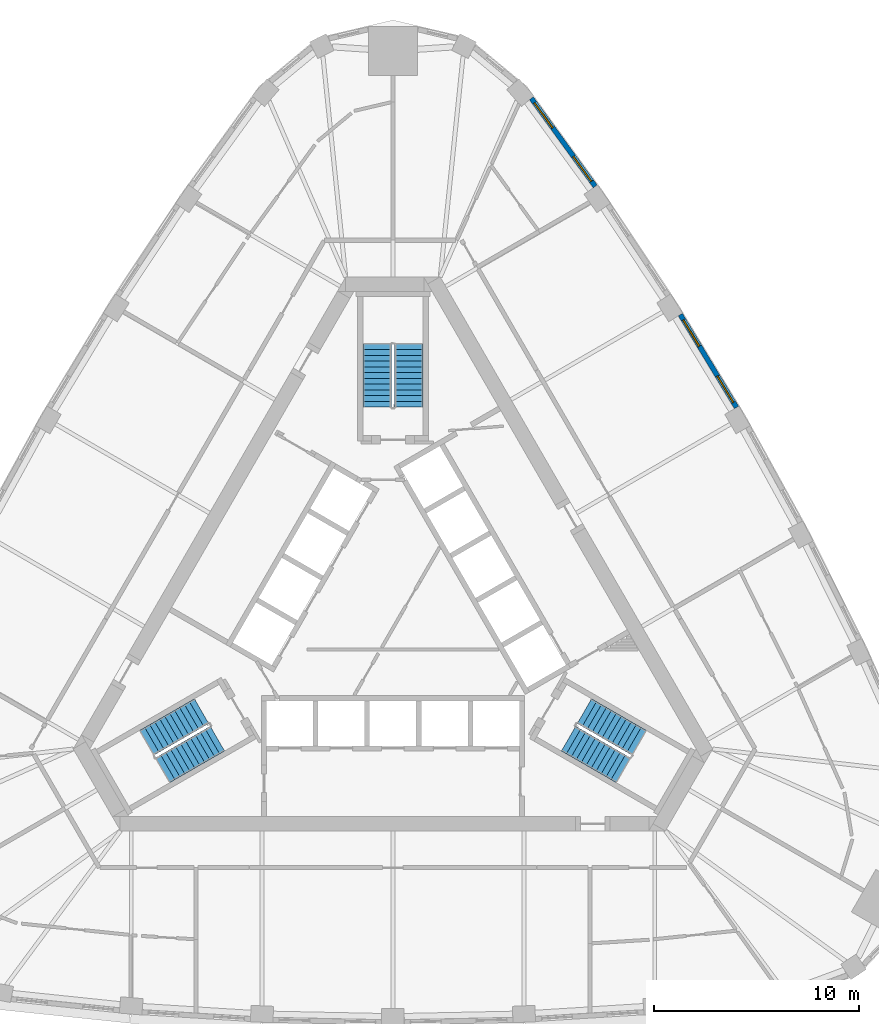
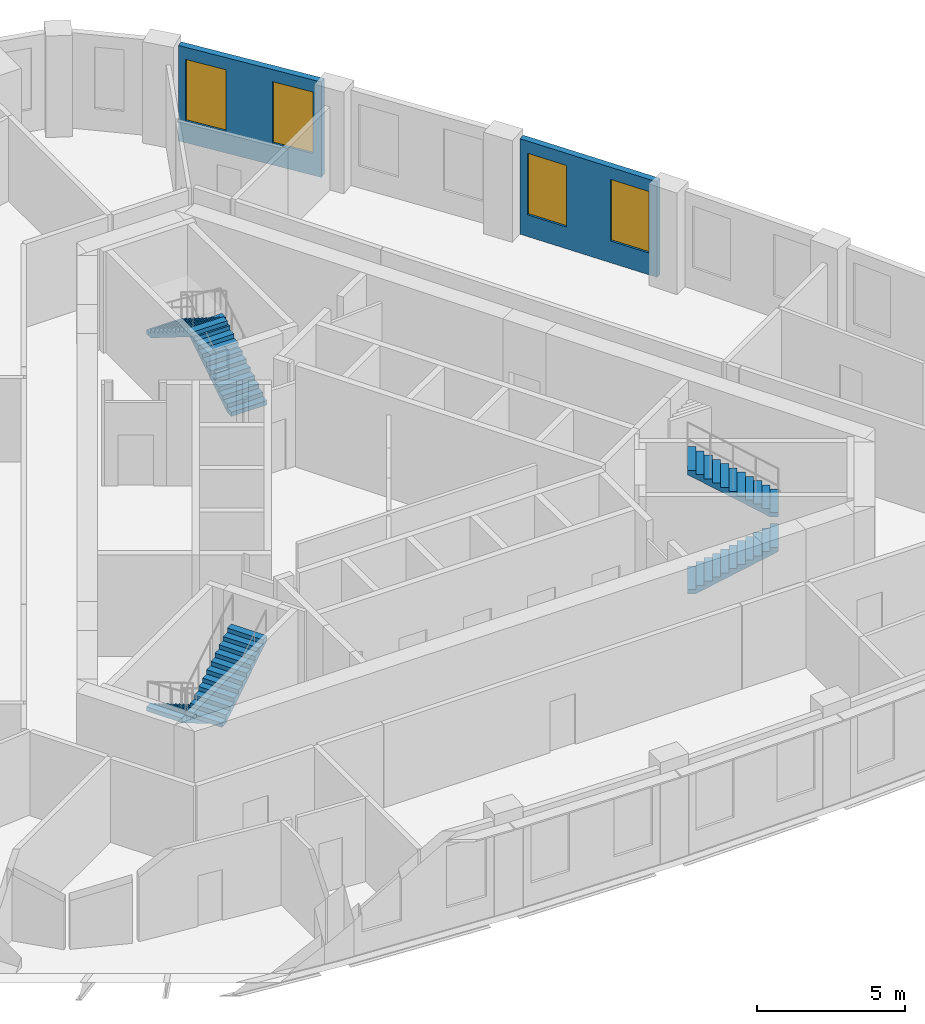
# One storey, part 9 of 10: 6 stair flights, 4 windows, 2 walls, 4 openings, 3 elements without a shape of their own.
"""IFC4 building model written with IfcOpenShell, lengths in metres."""

from ifc_helpers import new_model, si_unit, direction, frame, frame_2d, origin, place, context, subcontext, project, spatial, polyline, rectangle, outline, extrude, material, layer, layer_set, type_object, element, fill, aggregate, save


model = new_model("IFC4")

# Units and contexts
model_context = context("Model", 3, precision=1e-05, world=origin(), true_north=direction((0.0, 1.0)))
body_context = subcontext(model_context, "Body", "Model", "MODEL_VIEW")
ifc_project = project(units=[si_unit("LENGTHUNIT", "METRE"), si_unit("AREAUNIT", "SQUARE_METRE"), si_unit("VOLUMEUNIT", "CUBIC_METRE"), si_unit("PLANEANGLEUNIT", "RADIAN"), si_unit("MASSUNIT", "GRAM", prefix="KILO")], contexts=[model_context])

# Site, building, storey
site_placement = place(None, origin())
site = spatial("IfcSite", under=ifc_project, at=site_placement, CompositionType="ELEMENT")
building_placement = place(site_placement, origin())
building = spatial("IfcBuilding", under=site, at=building_placement, Name="Mestral Congress Tower", CompositionType="ELEMENT")
storey_placement = place(building_placement, frame((0.0, 0.0, 247.800048828125)))
storey = spatial("IfcBuildingStorey", under=building, at=storey_placement, Name="L58", CompositionType="ELEMENT", Elevation=247.800048828125)

# Wall, openings, windows
ifc_material_1 = material(Name="Precast concrete C40/50 with limestone facing", Category="masonry")
ifc_layer = layer(ifc_material_1, 0.239990234375)
ifc_layer_set = layer_set([ifc_layer], Name="Precast concrete C40/50 with limestone facing")
wall_type = type_object("IfcWallType", Name="Facade stone wall 240", PredefinedType="SOLIDWALL", material=ifc_layer_set)
wall_1_placement = place(storey_placement, frame((16.78173828125, 10.331298828125, 0.0), z_axis=(0.0, 0.0, 1.0), x_axis=(-0.517846166225, 0.855473756538, 0.0)))
wall_1 = element("IfcWall", 1, at=wall_1_placement, inside=storey, type_object=wall_type, Name="Facade wall F1-03", PredefinedType="SOLIDWALL", context=body_context, shape_type="SweptSolid", body=[
    extrude(rectangle(XDim=5.298095703125, YDim=0.239990234375, at=frame_2d((2.64892578125, 0.0))), origin(), (0.0, 0.0, 1.0), 3.949951171875),
])
opening_1_placement = place(wall_1_placement, frame((0.29443359375, 0.0, 0.89990234375)))
opening_1 = element("IfcOpeningElement", 2, at=opening_1_placement, cuts=wall_1, Name="Opening W4", PredefinedType="OPENING", context=body_context, shape_type="SweptSolid", body=[
    extrude(rectangle(XDim=1.5, YDim=2.550048828125, at=frame_2d((0.75, 1.27490234375))), frame((0.0, 0.1298828125, 0.0), z_axis=(0.0, -1.0, 0.0), x_axis=(1.0, 0.0, 0.0)), (0.0, 0.0, 1.0), 0.260009765625),
])
opening_2_placement = place(wall_1_placement, frame((3.503662109375, 0.0, 0.89990234375)))
opening_2 = element("IfcOpeningElement", 3, at=opening_2_placement, cuts=wall_1, Name="Opening W4", PredefinedType="OPENING", context=body_context, shape_type="SweptSolid", body=[
    extrude(rectangle(XDim=1.5, YDim=2.550048828125, at=frame_2d((0.75, 1.27490234375))), frame((0.0, 0.1298828125, 0.0), z_axis=(0.0, -1.0, 0.0), x_axis=(1.0, 0.0, 0.0)), (0.0, 0.0, 1.0), 0.260009765625),
])
ifc_material_2 = material(Name="Clear low-emissivity double glazing", Category="glass")
window_type = type_object("IfcWindowType", Name="Facade punched window 1500 x 2550 sill 900", PartitioningType="SINGLE_PANEL", PredefinedType="WINDOW", material=ifc_material_2)
window_1_placement = place(opening_1_placement, origin())
window_1 = element("IfcWindow", 4, at=window_1_placement, inside=storey, type_object=window_type, Name="Window F1-03a", OverallHeight=2.550048828125, OverallWidth=1.5, PartitioningType="SINGLE_PANEL", PredefinedType="WINDOW", context=body_context, shape_type="SweptSolid", body=[
    extrude(rectangle(XDim=1.5, YDim=2.550048828125, at=frame_2d((0.75, 1.27490234375))), frame((0.0, 0.0400390625, 0.0), z_axis=(0.0, -1.0, 0.0), x_axis=(1.0, 0.0, 0.0)), (0.0, 0.0, 1.0), 0.06005859375),
])
fill(opening_1, window_1)
window_2_placement = place(opening_2_placement, origin())
window_2 = element("IfcWindow", 5, at=window_2_placement, inside=storey, type_object=window_type, Name="Window F1-03b", OverallHeight=2.550048828125, OverallWidth=1.5, PartitioningType="SINGLE_PANEL", PredefinedType="WINDOW", context=body_context, shape_type="SweptSolid", body=[
    extrude(rectangle(XDim=1.5, YDim=2.550048828125, at=frame_2d((0.75, 1.27490234375))), frame((0.0, 0.0400390625, 0.0), z_axis=(0.0, -1.0, 0.0), x_axis=(1.0, 0.0, 0.0)), (0.0, 0.0, 1.0), 0.06005859375),
])
fill(opening_2, window_2)

wall_2_placement = place(storey_placement, frame((9.87841796875, 21.13232421875, 0.0), z_axis=(0.0, 0.0, 1.0), x_axis=(-0.586998456641, 0.80958805074, 0.0)))
wall_2 = element("IfcWall", 6, at=wall_2_placement, inside=storey, type_object=wall_type, Name="Facade wall F1-05", PredefinedType="SOLIDWALL", context=body_context, shape_type="SweptSolid", body=[
    extrude(rectangle(XDim=5.310791015625, YDim=0.239990234375, at=frame_2d((2.6552734375, 0.0))), origin(), (0.0, 0.0, 1.0), 3.949951171875),
])
opening_3_placement = place(wall_2_placement, frame((0.306396484375, 0.0, 0.89990234375)))
opening_3 = element("IfcOpeningElement", 7, at=opening_3_placement, cuts=wall_2, Name="Opening W4", PredefinedType="OPENING", context=body_context, shape_type="SweptSolid", body=[
    extrude(rectangle(XDim=1.5, YDim=2.550048828125, at=frame_2d((0.75, 1.27490234375))), frame((0.0, 0.1298828125, 0.0), z_axis=(0.0, -1.0, 0.0), x_axis=(1.0, 0.0, 0.0)), (0.0, 0.0, 1.0), 0.260009765625),
])
opening_4_placement = place(wall_2_placement, frame((3.539306640625, 0.0, 0.89990234375)))
opening_4 = element("IfcOpeningElement", 8, at=opening_4_placement, cuts=wall_2, Name="Opening W4", PredefinedType="OPENING", context=body_context, shape_type="SweptSolid", body=[
    extrude(rectangle(XDim=1.5, YDim=2.550048828125, at=frame_2d((0.75, 1.27490234375))), frame((0.0, 0.1298828125, 0.0), z_axis=(0.0, -1.0, 0.0), x_axis=(1.0, 0.0, 0.0)), (0.0, 0.0, 1.0), 0.260009765625),
])
window_3_placement = place(opening_3_placement, origin())
window_3 = element("IfcWindow", 9, at=window_3_placement, inside=storey, type_object=window_type, Name="Window F1-05a", OverallHeight=2.550048828125, OverallWidth=1.5, PartitioningType="SINGLE_PANEL", PredefinedType="WINDOW", context=body_context, shape_type="SweptSolid", body=[
    extrude(rectangle(XDim=1.5, YDim=2.550048828125, at=frame_2d((0.75, 1.27490234375))), frame((0.0, 0.0400390625, 0.0), z_axis=(0.0, -1.0, 0.0), x_axis=(1.0, 0.0, 0.0)), (0.0, 0.0, 1.0), 0.06005859375),
])
fill(opening_3, window_3)
window_4_placement = place(opening_4_placement, origin())
window_4 = element("IfcWindow", 10, at=window_4_placement, inside=storey, type_object=window_type, Name="Window F1-05b", OverallHeight=2.550048828125, OverallWidth=1.5, PartitioningType="SINGLE_PANEL", PredefinedType="WINDOW", context=body_context, shape_type="SweptSolid", body=[
    extrude(rectangle(XDim=1.5, YDim=2.550048828125, at=frame_2d((0.75, 1.27490234375))), frame((0.0, 0.0400390625, 0.0), z_axis=(0.0, -1.0, 0.0), x_axis=(1.0, 0.0, 0.0)), (0.0, 0.0, 1.0), 0.06005859375),
])
fill(opening_4, window_4)

# Stair, stair flights
ifc_material_3 = material(Name="Concrete C60/75", Category="concrete")
stair_type = type_object("IfcStairType", Name="Exit stair 1400", PredefinedType="HALF_TURN_STAIR", material=ifc_material_3)
placement = place(storey_placement, origin())
stair_1 = element("IfcStair", 11, at=placement, inside=storey, type_object=stair_type, Name="L58 ST1", PredefinedType="HALF_TURN_STAIR")
stair_flight_type = type_object("IfcStairFlightType", Name="Exit stair flight 1400", PredefinedType="STRAIGHT", material=ifc_material_3)
stair_flight_1_placement = place(storey_placement, frame((8.575927734375, -5.84619140625, 0.0), z_axis=(0.0, 0.0, 1.0), x_axis=(0.866025403784, -0.5, 0.0)))
stair_flight_1 = element("IfcStairFlight", 12, at=stair_flight_1_placement, type_object=stair_flight_type, Name="ST1 flight 1", NumberOfRisers=12, NumberOfTreads=11, PredefinedType="STRAIGHT", RiserHeight=0.175, TreadLength=0.28, context=body_context, shape_type="SweptSolid", body=[
    extrude(outline(polyline([(0.0, 0.0), (0.0, 0.175048828125), (0.280029296875, 0.175048828125), (0.280029296875, 0.35009765625), (0.56005859375, 0.35009765625), (0.56005859375, 0.52490234375), (0.840087890625, 0.52490234375), (0.840087890625, 0.699951171875), (1.1201171875, 0.699951171875), (1.1201171875, 0.875), (1.39990234375, 0.875), (1.39990234375, 1.050048828125), (1.679931640625, 1.050048828125), (1.679931640625, 1.22509765625), (1.9599609375, 1.22509765625), (1.9599609375, 1.39990234375), (2.239990234375, 1.39990234375), (2.239990234375, 1.574951171875), (2.52001953125, 1.574951171875), (2.52001953125, 1.75), (2.800048828125, 1.75), (2.800048828125, 1.925048828125), (3.080078125, 1.925048828125), (3.080078125, 2.10009765625), (3.080078125, 1.748291015625), (0.28271484375, 0.0), (0.0, 0.0)])), frame((0.0, 0.699951171875, 0.0), z_axis=(0.0, -1.0, 0.0), x_axis=(1.0, 0.0, 0.0)), (0.0, 0.0, 1.0), 1.39990234375),
])
stair_flight_2_placement = place(storey_placement, frame((12.018310546875, -6.0439453125, 2.099853515625), z_axis=(0.0, 0.0, 1.0), x_axis=(-0.866025403784, 0.5, 0.0)))
stair_flight_2 = element("IfcStairFlight", 13, at=stair_flight_2_placement, type_object=stair_flight_type, Name="ST1 flight 2", NumberOfRisers=12, NumberOfTreads=11, PredefinedType="STRAIGHT", RiserHeight=0.175, TreadLength=0.28, context=body_context, shape_type="SweptSolid", body=[
    extrude(outline(polyline([(0.0, 0.0), (0.0, 0.175048828125), (0.280029296875, 0.175048828125), (0.280029296875, 0.35009765625), (0.56005859375, 0.35009765625), (0.56005859375, 0.52490234375), (0.840087890625, 0.52490234375), (0.840087890625, 0.699951171875), (1.1201171875, 0.699951171875), (1.1201171875, 0.875), (1.39990234375, 0.875), (1.39990234375, 1.050048828125), (1.679931640625, 1.050048828125), (1.679931640625, 1.22509765625), (1.9599609375, 1.22509765625), (1.9599609375, 1.39990234375), (2.239990234375, 1.39990234375), (2.239990234375, 1.574951171875), (2.52001953125, 1.574951171875), (2.52001953125, 1.75), (2.800048828125, 1.75), (2.800048828125, 1.925048828125), (3.080078125, 1.925048828125), (3.080078125, 2.10009765625), (3.080078125, 1.748291015625), (0.28271484375, 0.0), (0.0, 0.0)])), frame((0.0, 0.699951171875, 0.0), z_axis=(0.0, -1.0, 0.0), x_axis=(1.0, 0.0, 0.0)), (0.0, 0.0, 1.0), 1.39990234375),
])
aggregate(stair_1, [stair_flight_1, stair_flight_2])

stair_2 = element("IfcStair", 14, at=placement, inside=storey, type_object=stair_type, Name="L58 ST2", PredefinedType="HALF_TURN_STAIR")
stair_flight_3_placement = place(storey_placement, frame((0.77490234375, 10.35009765625, 0.0), z_axis=(0.0, 0.0, 1.0), x_axis=(0.0, 1.0, 0.0)))
stair_flight_3 = element("IfcStairFlight", 15, at=stair_flight_3_placement, type_object=stair_flight_type, Name="ST2 flight 1", NumberOfRisers=12, NumberOfTreads=11, PredefinedType="STRAIGHT", RiserHeight=0.175, TreadLength=0.28, context=body_context, shape_type="SweptSolid", body=[
    extrude(outline(polyline([(0.0, 0.0), (0.0, 0.175048828125), (0.280029296875, 0.175048828125), (0.280029296875, 0.35009765625), (0.56005859375, 0.35009765625), (0.56005859375, 0.52490234375), (0.840087890625, 0.52490234375), (0.840087890625, 0.699951171875), (1.1201171875, 0.699951171875), (1.1201171875, 0.875), (1.39990234375, 0.875), (1.39990234375, 1.050048828125), (1.679931640625, 1.050048828125), (1.679931640625, 1.22509765625), (1.9599609375, 1.22509765625), (1.9599609375, 1.39990234375), (2.239990234375, 1.39990234375), (2.239990234375, 1.574951171875), (2.52001953125, 1.574951171875), (2.52001953125, 1.75), (2.800048828125, 1.75), (2.800048828125, 1.925048828125), (3.080078125, 1.925048828125), (3.080078125, 2.10009765625), (3.080078125, 1.748291015625), (0.28271484375, 0.0), (0.0, 0.0)])), frame((0.0, 0.699951171875, 0.0), z_axis=(0.0, -1.0, 0.0), x_axis=(1.0, 0.0, 0.0)), (0.0, 0.0, 1.0), 1.39990234375),
])
stair_flight_4_placement = place(storey_placement, frame((-0.77490234375, 13.429931640625, 2.099853515625), z_axis=(0.0, 0.0, 1.0), x_axis=(0.0, -1.0, 0.0)))
stair_flight_4 = element("IfcStairFlight", 16, at=stair_flight_4_placement, type_object=stair_flight_type, Name="ST2 flight 2", NumberOfRisers=12, NumberOfTreads=11, PredefinedType="STRAIGHT", RiserHeight=0.175, TreadLength=0.28, context=body_context, shape_type="SweptSolid", body=[
    extrude(outline(polyline([(0.0, 0.0), (0.0, 0.175048828125), (0.280029296875, 0.175048828125), (0.280029296875, 0.35009765625), (0.56005859375, 0.35009765625), (0.56005859375, 0.52490234375), (0.840087890625, 0.52490234375), (0.840087890625, 0.699951171875), (1.1201171875, 0.699951171875), (1.1201171875, 0.875), (1.39990234375, 0.875), (1.39990234375, 1.050048828125), (1.679931640625, 1.050048828125), (1.679931640625, 1.22509765625), (1.9599609375, 1.22509765625), (1.9599609375, 1.39990234375), (2.239990234375, 1.39990234375), (2.239990234375, 1.574951171875), (2.52001953125, 1.574951171875), (2.52001953125, 1.75), (2.800048828125, 1.75), (2.800048828125, 1.925048828125), (3.080078125, 1.925048828125), (3.080078125, 2.10009765625), (3.080078125, 1.748291015625), (0.28271484375, 0.0), (0.0, 0.0)])), frame((0.0, 0.699951171875, 0.0), z_axis=(0.0, -1.0, 0.0), x_axis=(1.0, 0.0, 0.0)), (0.0, 0.0, 1.0), 1.39990234375),
])
aggregate(stair_2, [stair_flight_3, stair_flight_4])

stair_3 = element("IfcStair", 17, at=placement, inside=storey, type_object=stair_type, Name="L58 ST3", PredefinedType="HALF_TURN_STAIR")
stair_flight_5_placement = place(storey_placement, frame((-9.350830078125, -4.50390625, 0.0), z_axis=(0.0, 0.0, 1.0), x_axis=(-0.866025403784, -0.5, 0.0)))
stair_flight_5 = element("IfcStairFlight", 18, at=stair_flight_5_placement, type_object=stair_flight_type, Name="ST3 flight 1", NumberOfRisers=12, NumberOfTreads=11, PredefinedType="STRAIGHT", RiserHeight=0.175, TreadLength=0.28, context=body_context, shape_type="SweptSolid", body=[
    extrude(outline(polyline([(0.0, 0.0), (0.0, 0.175048828125), (0.280029296875, 0.175048828125), (0.280029296875, 0.35009765625), (0.56005859375, 0.35009765625), (0.56005859375, 0.52490234375), (0.840087890625, 0.52490234375), (0.840087890625, 0.699951171875), (1.1201171875, 0.699951171875), (1.1201171875, 0.875), (1.39990234375, 0.875), (1.39990234375, 1.050048828125), (1.679931640625, 1.050048828125), (1.679931640625, 1.22509765625), (1.9599609375, 1.22509765625), (1.9599609375, 1.39990234375), (2.239990234375, 1.39990234375), (2.239990234375, 1.574951171875), (2.52001953125, 1.574951171875), (2.52001953125, 1.75), (2.800048828125, 1.75), (2.800048828125, 1.925048828125), (3.080078125, 1.925048828125), (3.080078125, 2.10009765625), (3.080078125, 1.748291015625), (0.28271484375, 0.0), (0.0, 0.0)])), frame((0.0, 0.699951171875, 0.0), z_axis=(0.0, -1.0, 0.0), x_axis=(1.0, 0.0, 0.0)), (0.0, 0.0, 1.0), 1.39990234375),
])
stair_flight_6_placement = place(storey_placement, frame((-11.2431640625, -7.38623046875, 2.099853515625), z_axis=(0.0, 0.0, 1.0), x_axis=(0.866025403784, 0.5, 0.0)))
stair_flight_6 = element("IfcStairFlight", 19, at=stair_flight_6_placement, type_object=stair_flight_type, Name="ST3 flight 2", NumberOfRisers=12, NumberOfTreads=11, PredefinedType="STRAIGHT", RiserHeight=0.175, TreadLength=0.28, context=body_context, shape_type="SweptSolid", body=[
    extrude(outline(polyline([(0.0, 0.0), (0.0, 0.175048828125), (0.280029296875, 0.175048828125), (0.280029296875, 0.35009765625), (0.56005859375, 0.35009765625), (0.56005859375, 0.52490234375), (0.840087890625, 0.52490234375), (0.840087890625, 0.699951171875), (1.1201171875, 0.699951171875), (1.1201171875, 0.875), (1.39990234375, 0.875), (1.39990234375, 1.050048828125), (1.679931640625, 1.050048828125), (1.679931640625, 1.22509765625), (1.9599609375, 1.22509765625), (1.9599609375, 1.39990234375), (2.239990234375, 1.39990234375), (2.239990234375, 1.574951171875), (2.52001953125, 1.574951171875), (2.52001953125, 1.75), (2.800048828125, 1.75), (2.800048828125, 1.925048828125), (3.080078125, 1.925048828125), (3.080078125, 2.10009765625), (3.080078125, 1.748291015625), (0.28271484375, 0.0), (0.0, 0.0)])), frame((0.0, 0.699951171875, 0.0), z_axis=(0.0, -1.0, 0.0), x_axis=(1.0, 0.0, 0.0)), (0.0, 0.0, 1.0), 1.39990234375),
])
aggregate(stair_3, [stair_flight_5, stair_flight_6])

save(model, "model.ifc")
